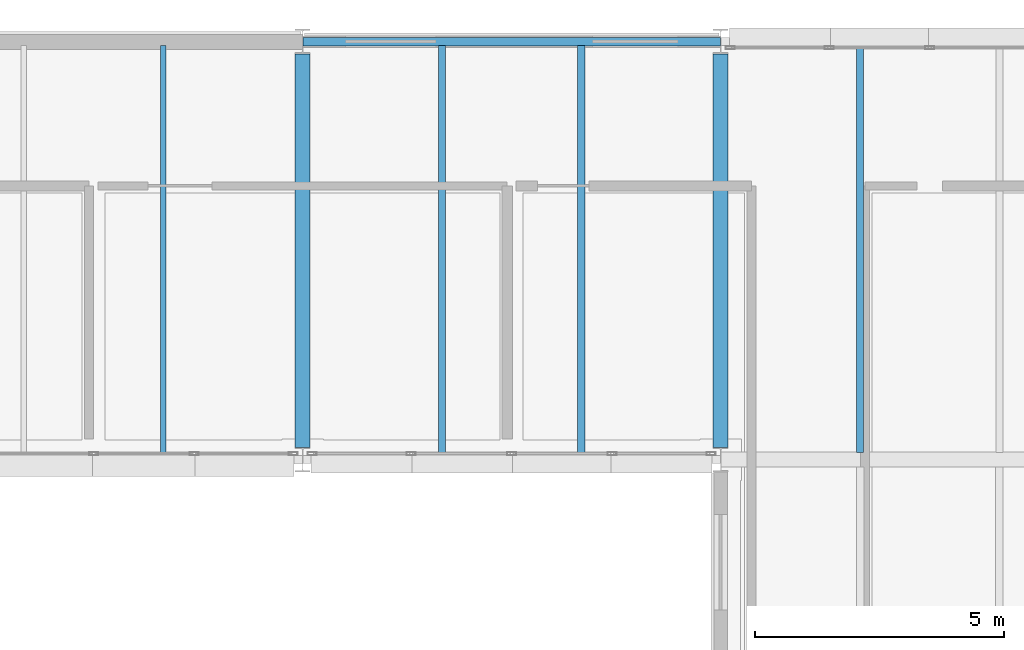
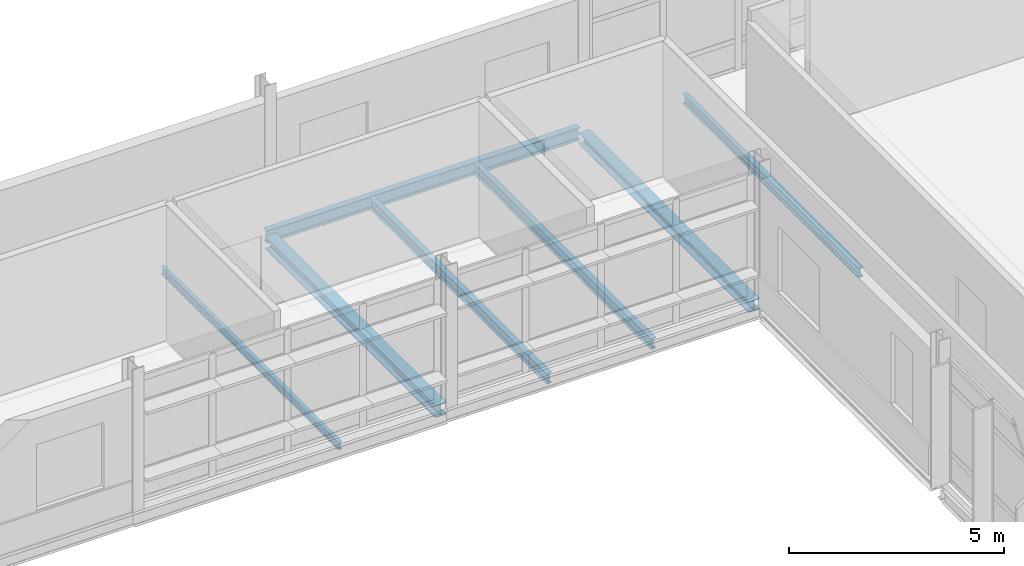
# One storey, part 74 of 151: 7 beams.
"""IFC4 building model written with IfcOpenShell, lengths in metres."""

import ifcopenshell
import ifcopenshell.guid

model = None  # the IFC model being written
_history = None  # IfcOwnerHistory: only IFC2X3 demands one
_inside = {}  # id of a spatial element -> (the spatial element, [elements in it])
_under = {}  # id of a project, library or spatial element -> (it, [spatial elements below it])
_declared = {}  # id of a project -> (the project, [libraries it declares])
_typed = {}  # id of a type object -> (the type object, [elements of that type])
_made_of = {}  # id of a material, layer set ... -> (it, [elements and type objects made of it])


def new_model(schema):
    """Start an empty IFC model of exactly this schema.

    Asked for "IFC4X3", IfcOpenShell would pick the latest addendum, in which some entities
    have other attributes; the version numbers below select the first issue.
    IFC2X3 requires an IfcOwnerHistory on every rooted entity: one is made here for all.
    """
    global model, _history
    if schema == "IFC4X3":
        model = ifcopenshell.file(schema_version=(4, 3, 0, 0))
    else:
        model = ifcopenshell.file(schema=schema)
    _inside.clear()
    _under.clear()
    _declared.clear()
    _typed.clear()
    _made_of.clear()
    _history = None
    if model.schema == "IFC2X3":
        org = make("IfcOrganization", Name="unknown")
        user = make(
            "IfcPersonAndOrganization",
            ThePerson=make("IfcPerson", FamilyName="unknown"),
            TheOrganization=org,
        )
        app = make(
            "IfcApplication",
            ApplicationDeveloper=org,
            Version="unknown",
            ApplicationFullName="unknown",
            ApplicationIdentifier="unknown",
        )
        _history = make(
            "IfcOwnerHistory",
            OwningUser=user,
            OwningApplication=app,
            ChangeAction="ADDED",
            CreationDate=0,
        )
    return model


def make(cls, **values):
    """One entity of the class cls with the attributes given. An attribute that is None is left unset."""
    return model.create_entity(
        cls, **{name: value for name, value in values.items() if value is not None}
    )


def rooted(cls, **values):
    """An entity with a GlobalId (a new one), such as an element, a storey or a relation."""
    return make(cls, GlobalId=ifcopenshell.guid.new(), OwnerHistory=_history, **values)


def si_unit(unit_type, name, prefix=None):
    """IfcSIUnit, for example si_unit("LENGTHUNIT", "METRE", prefix="MILLI")."""
    return make("IfcSIUnit", UnitType=unit_type, Prefix=prefix, Name=name)


def assignment(units):
    """IfcUnitAssignment: the units of a project."""
    return None if units is None else make("IfcUnitAssignment", Units=units)


def point(xyz):
    """IfcCartesianPoint."""
    return None if xyz is None else make("IfcCartesianPoint", Coordinates=xyz)


def direction(xyz):
    """IfcDirection."""
    return None if xyz is None else make("IfcDirection", DirectionRatios=xyz)


def frame(location, z_axis=None, x_axis=None):
    """IfcAxis2Placement3D, a coordinate frame: its origin and axes. An axis left out is left unset."""
    return make(
        "IfcAxis2Placement3D",
        Location=point(location),
        Axis=direction(z_axis),
        RefDirection=direction(x_axis),
    )


def frame_2d(location, x_axis=None):
    """IfcAxis2Placement2D, a coordinate frame in the plane: its origin and x axis."""
    return make(
        "IfcAxis2Placement2D", Location=point(location), RefDirection=direction(x_axis)
    )


def origin():
    """The frame at (0, 0, 0) with its axes left unset."""
    return frame((0.0, 0.0, 0.0))


def origin_2d():
    """The frame at (0, 0) in the plane with its x axis left unset."""
    return frame_2d((0.0, 0.0))


def place(relative_to, where):
    """IfcLocalPlacement: puts the frame where relative to a parent placement (None: the world)."""
    return make(
        "IfcLocalPlacement", PlacementRelTo=relative_to, RelativePlacement=where
    )


def context(
    kind, dimensions, precision=None, world=None, true_north=None, identifier=None
):
    """IfcGeometricRepresentationContext, for example the 3D "Model" context."""
    return make(
        "IfcGeometricRepresentationContext",
        ContextIdentifier=identifier,
        ContextType=kind,
        CoordinateSpaceDimension=dimensions,
        Precision=precision,
        WorldCoordinateSystem=world,
        TrueNorth=true_north,
    )


def subcontext(parent, identifier, kind, view, scale=None):
    """IfcGeometricRepresentationSubContext, for example "Body" below "Model"."""
    return make(
        "IfcGeometricRepresentationSubContext",
        ContextIdentifier=identifier,
        ContextType=kind,
        ParentContext=parent,
        TargetScale=scale,
        TargetView=view,
    )


def project(units=None, contexts=None):
    """IfcProject with its units and contexts."""
    return rooted(
        "IfcProject",
        Name="project",
        RepresentationContexts=contexts,
        UnitsInContext=assignment(units),
    )


def spatial(cls, under=None, at=None, **own):
    """A site, building, storey or space (cls), placed at a placement, below another one or the project."""
    s = rooted(cls, ObjectPlacement=at, **own)
    if under is not None:
        _under.setdefault(under.id(), (under, []))[1].append(s)
    return s


def profile(cls, at=None, kind="AREA", **sizes):
    """A parametric profile (cls). Its sizes go by their IFC names, for example OverallWidth=200.0."""
    return make(cls, ProfileType=kind, Position=at, **sizes)


def i_section(**sizes):
    """IfcIShapeProfileDef."""
    return profile("IfcIShapeProfileDef", **sizes)


def extrude(swept, where, along, depth):
    """IfcExtrudedAreaSolid: the profile swept, set in the frame where, extruded along a direction by depth."""
    return make(
        "IfcExtrudedAreaSolid",
        SweptArea=swept,
        Position=where,
        ExtrudedDirection=direction(along),
        Depth=depth,
    )


def shape(context_of_items, identifier, shape_type, items):
    """IfcShapeRepresentation: the items that make up one representation, for example the "Body"."""
    return make(
        "IfcShapeRepresentation",
        ContextOfItems=context_of_items,
        RepresentationIdentifier=identifier,
        RepresentationType=shape_type,
        Items=items,
    )


def material(Name=None, Category=None):
    """IfcMaterial."""
    return make("IfcMaterial", Name=Name, Category=Category)


def material_profile(
    of_material, cross_section, Name=None, Category=None, Priority=None
):
    """IfcMaterialProfile: a cross section and its material."""
    return make(
        "IfcMaterialProfile",
        Name=Name,
        Material=of_material,
        Profile=cross_section,
        Priority=Priority,
        Category=Category,
    )


def profile_set(profiles, Name=None, composite=None):
    """IfcMaterialProfileSet."""
    return make(
        "IfcMaterialProfileSet",
        Name=Name,
        MaterialProfiles=profiles,
        CompositeProfile=composite,
    )


def made_of(thing, what):
    """Note that an element or type object is made of a material, layer set ...; save() writes the relation."""
    if what is not None:
        _made_of.setdefault(what.id(), (what, []))[1].append(thing)
    return thing


def type_object(cls, material=None, **own):
    """A type object (cls), such as IfcWallType, which elements share."""
    return made_of(rooted(cls, **own), material)


def element(
    cls,
    number,
    at=None,
    inside=None,
    cuts=None,
    type_object=None,
    material=None,
    context=None,
    identifier="Body",
    shape_type=None,
    held_by="IfcProductDefinitionShape",
    body=None,
    shapes=None,
    **own,
):
    """One element of the class cls, such as IfcWall. Its Tag is "e" and its number.

    at: its placement. inside: the storey or other place that contains it. cuts: it is an
    opening in that element (IfcRelVoidsElement). A single representation is given by context,
    identifier, shape_type and body (its items); several are given by shapes. held_by: the class
    of the entity that holds the representations. save() writes the other relations.
    """
    e = rooted(cls, Tag="e%d" % number, ObjectPlacement=at, **own)
    if body is not None:
        shapes = [shape(context, identifier, shape_type, body)]
    if shapes is not None:
        e.Representation = make(held_by, Representations=shapes)
    if inside is not None:
        _inside.setdefault(inside.id(), (inside, []))[1].append(e)
    if cuts is not None:
        rooted(
            "IfcRelVoidsElement", RelatingBuildingElement=cuts, RelatedOpeningElement=e
        )
    if type_object is not None:
        _typed.setdefault(type_object.id(), (type_object, []))[1].append(e)
    return made_of(e, material)


def aggregate(whole, parts):
    """IfcRelAggregates: a whole, such as a stair, and the parts it consists of."""
    return rooted("IfcRelAggregates", RelatingObject=whole, RelatedObjects=parts)


def save(model, path):
    """Write the relations noted so far, then the file.

    IfcRelAggregates (storeys below a building ...), IfcRelContainedInSpatialStructure (elements
    in a storey), IfcRelDefinesByType, IfcRelAssociatesMaterial and IfcRelDeclares: one each for
    every whole, place, type object, material and project.
    """
    for whole, parts in _under.values():
        aggregate(whole, parts)
    for where, things in _inside.values():
        rooted(
            "IfcRelContainedInSpatialStructure",
            RelatedElements=things,
            RelatingStructure=where,
        )
    for kind, things in _typed.values():
        rooted("IfcRelDefinesByType", RelatedObjects=things, RelatingType=kind)
    for what, things in _made_of.values():
        rooted("IfcRelAssociatesMaterial", RelatedObjects=things, RelatingMaterial=what)
    for by, libraries in _declared.values():
        rooted("IfcRelDeclares", RelatingContext=by, RelatedDefinitions=libraries)
    model.write(path)


model = new_model("IFC4")

# Units and contexts
model_context = context("Model", 3, precision=1e-05, world=origin(), true_north=direction((0.0, 1.0)))
body_context = subcontext(model_context, "Body", "Model", "MODEL_VIEW")
ifc_project = project(units=[si_unit("LENGTHUNIT", "METRE"), si_unit("AREAUNIT", "SQUARE_METRE"), si_unit("VOLUMEUNIT", "CUBIC_METRE"), si_unit("PLANEANGLEUNIT", "RADIAN"), si_unit("MASSUNIT", "GRAM", prefix="KILO")], contexts=[model_context])

# Site, building, storey
site_placement = place(None, origin())
site = spatial("IfcSite", under=ifc_project, at=site_placement, CompositionType="ELEMENT")
building_placement = place(site_placement, origin())
building = spatial("IfcBuilding", under=site, at=building_placement, Name="Mersafa Astral City Hall", CompositionType="ELEMENT")
storey_placement = place(building_placement, frame((0.0, 0.0, 9.89990234375)))
storey = spatial("IfcBuildingStorey", under=building, at=storey_placement, Name="L02", CompositionType="ELEMENT", Elevation=9.89990234375)

# Beams
ifc_material = material(Name="Steel S355", Category="steel")
ifc_material_profile_1 = material_profile(ifc_material, i_section(OverallWidth=0.300048828125, OverallDepth=0.31005859375, WebThickness=0.009033203125, FlangeThickness=0.015380859375, FilletRadius=0.027099609375, at=origin_2d()), Name="HEA 320")
ifc_profile_set_1 = profile_set([ifc_material_profile_1], Name="Steel S355")
beam_type_1 = type_object("IfcBeamType", Name="STR-BM-HEA320", PredefinedType="BEAM", material=ifc_profile_set_1)
beam_1_placement = place(storey_placement, frame((100.800048828125, 117.844970703125, -0.35498046875), z_axis=(0.0, 1.0, 0.0), x_axis=(-1.0, 0.0, 0.0)))
element("IfcBeam", 1, at=beam_1_placement, inside=storey, type_object=beam_type_1, Name="L02 Primary girder Y 12-14", PredefinedType="BEAM", context=body_context, shape_type="SweptSolid", body=[
    extrude(i_section(OverallWidth=0.300048828125, OverallDepth=0.31005859375, WebThickness=0.009033203125, FlangeThickness=0.015380859375, FilletRadius=0.027099609375, at=origin_2d()), origin(), (0.0, 0.0, 1.0), 7.909912109375),
])
ifc_material_profile_2 = material_profile(ifc_material, i_section(OverallWidth=0.300048828125, OverallDepth=0.35009765625, WebThickness=0.010009765625, FlangeThickness=0.017578125, FilletRadius=0.027099609375, at=origin_2d()), Name="HEA 360")
ifc_profile_set_2 = profile_set([ifc_material_profile_2], Name="Steel S355")
beam_type_2 = type_object("IfcBeamType", Name="STR-BM-HEA360", PredefinedType="BEAM", material=ifc_profile_set_2)
beam_2_placement = place(storey_placement, frame((92.39990234375, 117.844970703125, -0.375), z_axis=(0.0, 1.0, 0.0), x_axis=(-1.0, 0.0, 0.0)))
element("IfcBeam", 2, at=beam_2_placement, inside=storey, type_object=beam_type_2, Name="L02 Primary girder Y 11-14", PredefinedType="BEAM", context=body_context, shape_type="SweptSolid", body=[
    extrude(i_section(OverallWidth=0.300048828125, OverallDepth=0.35009765625, WebThickness=0.010009765625, FlangeThickness=0.017578125, FilletRadius=0.027099609375, at=origin_2d()), origin(), (0.0, 0.0, 1.0), 7.909912109375),
])
ifc_material_profile_3 = material_profile(ifc_material, i_section(OverallWidth=0.110107421875, OverallDepth=0.219970703125, WebThickness=0.005859375, FlangeThickness=0.00927734375, FilletRadius=0.011962890625, at=origin_2d()), Name="IPE 220")
ifc_profile_set_3 = profile_set([ifc_material_profile_3], Name="Steel S355")
beam_type_3 = type_object("IfcBeamType", Name="STR-BM-JOIST-IPE220", PredefinedType="JOIST", material=ifc_profile_set_3)
beam_3_placement = place(storey_placement, frame((89.60009765625, 117.679931640625, -0.309814453125), z_axis=(0.0, 1.0, 0.0), x_axis=(-1.0, 0.0, 0.0)))
element("IfcBeam", 3, at=beam_3_placement, inside=storey, type_object=beam_type_3, Name="L02 Composite secondary floor joist 435", PredefinedType="JOIST", context=body_context, shape_type="SweptSolid", body=[
    extrude(i_section(OverallWidth=0.110107421875, OverallDepth=0.219970703125, WebThickness=0.005859375, FlangeThickness=0.00927734375, FilletRadius=0.011962890625, at=origin_2d()), origin(), (0.0, 0.0, 1.0), 8.2451171875),
])
ifc_material_profile_4 = material_profile(ifc_material, i_section(OverallWidth=0.135009765625, OverallDepth=0.27001953125, WebThickness=0.006591796875, FlangeThickness=0.01025390625, FilletRadius=0.014892578125, at=origin_2d()), Name="IPE 270")
ifc_profile_set_4 = profile_set([ifc_material_profile_4], Name="Steel S355")
beam_type_4 = type_object("IfcBeamType", Name="STR-BM-JOIST-IPE270", PredefinedType="JOIST", material=ifc_profile_set_4)
beam_4_placement = place(storey_placement, frame((103.60009765625, 117.7451171875, -0.3349609375), z_axis=(0.0, 1.0, 0.0), x_axis=(-1.0, 0.0, 0.0)))
element("IfcBeam", 4, at=beam_4_placement, inside=storey, type_object=beam_type_4, Name="L02 Composite secondary floor joist 468", PredefinedType="JOIST", context=body_context, shape_type="SweptSolid", body=[
    extrude(i_section(OverallWidth=0.135009765625, OverallDepth=0.27001953125, WebThickness=0.006591796875, FlangeThickness=0.01025390625, FilletRadius=0.014892578125, at=origin_2d()), origin(), (0.0, 0.0, 1.0), 8.179931640625),
])
ifc_material_profile_5 = material_profile(ifc_material, i_section(OverallWidth=0.14990234375, OverallDepth=0.300048828125, WebThickness=0.007080078125, FlangeThickness=0.0107421875, FilletRadius=0.014892578125, at=origin_2d()), Name="IPE 300")
ifc_profile_set_5 = profile_set([ifc_material_profile_5], Name="Steel S355")
beam_type_5 = type_object("IfcBeamType", Name="STR-BM-JOIST-IPE300", PredefinedType="JOIST", material=ifc_profile_set_5)
for number, where, z_axis, x_axis, name in (
    (5, (95.199951171875, 117.675048828125, -0.349853515625), (0.0, 1.0, 0.0), (-1.0, 0.0, 0.0), "L02 Composite secondary floor joist 450"),
    (6, (98.0, 117.675048828125, -0.349853515625), (0.0, 1.0, 0.0), (-1.0, 0.0, 0.0), "L02 Composite secondary floor joist 451"),
):
    element("IfcBeam", number, at=place(storey_placement, frame(where, z_axis=z_axis, x_axis=x_axis)), inside=storey, type_object=beam_type_5, Name=name, PredefinedType="JOIST", context=body_context, shape_type="SweptSolid", body=[
        extrude(i_section(OverallWidth=0.14990234375, OverallDepth=0.300048828125, WebThickness=0.007080078125, FlangeThickness=0.0107421875, FilletRadius=0.014892578125, at=origin_2d()), origin(), (0.0, 0.0, 1.0), 8.244873046875),
    ])
ifc_material_profile_6 = material_profile(ifc_material, i_section(OverallWidth=0.169921875, OverallDepth=0.360107421875, WebThickness=0.008056640625, FlangeThickness=0.0126953125, FilletRadius=0.01806640625, at=origin_2d()), Name="IPE 360")
ifc_profile_set_6 = profile_set([ifc_material_profile_6], Name="Steel S355")
beam_type_6 = type_object("IfcBeamType", Name="STR-BM-SPANDREL-IPE360", PredefinedType="SPANDREL", material=ifc_profile_set_6)
beam_5_placement = place(storey_placement, frame((92.403076171875, 126.0, -0.3798828125), z_axis=(1.0, 0.0, 0.0), x_axis=(0.0, 1.0, 0.0)))
element("IfcBeam", 7, at=beam_5_placement, inside=storey, type_object=beam_type_6, Name="L02 Primary girder X 11-15", PredefinedType="SPANDREL", context=body_context, shape_type="SweptSolid", body=[
    extrude(i_section(OverallWidth=0.169921875, OverallDepth=0.360107421875, WebThickness=0.008056640625, FlangeThickness=0.0126953125, FilletRadius=0.01806640625, at=origin_2d()), origin(), (0.0, 0.0, 1.0), 8.39404296875),
])

save(model, "model.ifc")
